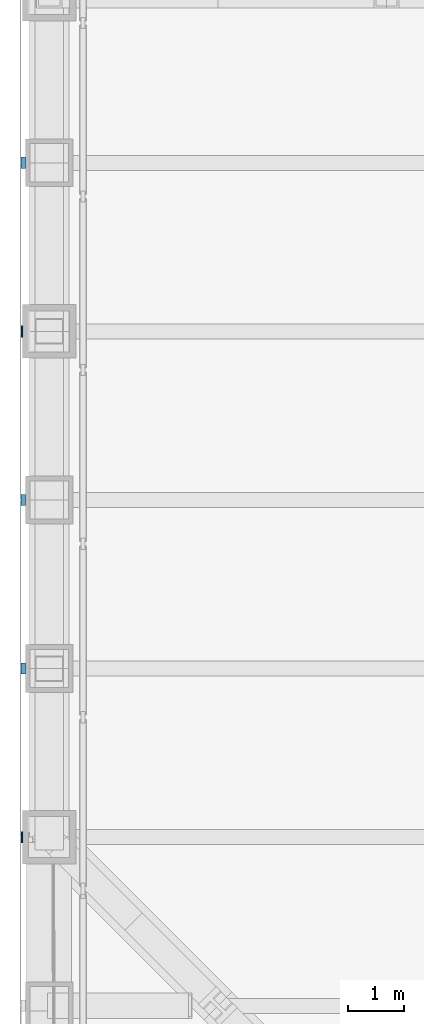
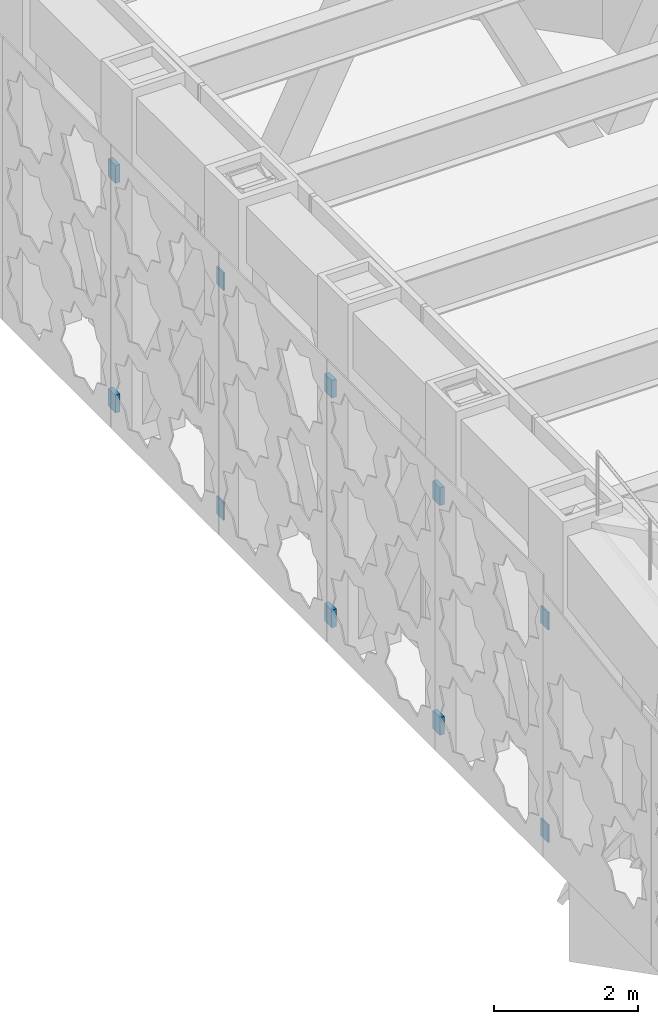
# One storey, part 15 of 31: 10 discrete accessories.
"""IFC4 building model written with IfcOpenShell, lengths in metres."""

import ifcopenshell
import ifcopenshell.guid

model = None  # the IFC model being written
_history = None  # IfcOwnerHistory: only IFC2X3 demands one
_inside = {}  # id of a spatial element -> (the spatial element, [elements in it])
_under = {}  # id of a project, library or spatial element -> (it, [spatial elements below it])
_declared = {}  # id of a project -> (the project, [libraries it declares])
_typed = {}  # id of a type object -> (the type object, [elements of that type])
_made_of = {}  # id of a material, layer set ... -> (it, [elements and type objects made of it])


def new_model(schema):
    """Start an empty IFC model of exactly this schema.

    Asked for "IFC4X3", IfcOpenShell would pick the latest addendum, in which some entities
    have other attributes; the version numbers below select the first issue.
    IFC2X3 requires an IfcOwnerHistory on every rooted entity: one is made here for all.
    """
    global model, _history
    if schema == "IFC4X3":
        model = ifcopenshell.file(schema_version=(4, 3, 0, 0))
    else:
        model = ifcopenshell.file(schema=schema)
    _inside.clear()
    _under.clear()
    _declared.clear()
    _typed.clear()
    _made_of.clear()
    _history = None
    if model.schema == "IFC2X3":
        org = make("IfcOrganization", Name="unknown")
        user = make(
            "IfcPersonAndOrganization",
            ThePerson=make("IfcPerson", FamilyName="unknown"),
            TheOrganization=org,
        )
        app = make(
            "IfcApplication",
            ApplicationDeveloper=org,
            Version="unknown",
            ApplicationFullName="unknown",
            ApplicationIdentifier="unknown",
        )
        _history = make(
            "IfcOwnerHistory",
            OwningUser=user,
            OwningApplication=app,
            ChangeAction="ADDED",
            CreationDate=0,
        )
    return model


def make(cls, **values):
    """One entity of the class cls with the attributes given. An attribute that is None is left unset."""
    return model.create_entity(
        cls, **{name: value for name, value in values.items() if value is not None}
    )


def rooted(cls, **values):
    """An entity with a GlobalId (a new one), such as an element, a storey or a relation."""
    return make(cls, GlobalId=ifcopenshell.guid.new(), OwnerHistory=_history, **values)


def si_unit(unit_type, name, prefix=None):
    """IfcSIUnit, for example si_unit("LENGTHUNIT", "METRE", prefix="MILLI")."""
    return make("IfcSIUnit", UnitType=unit_type, Prefix=prefix, Name=name)


def assignment(units):
    """IfcUnitAssignment: the units of a project."""
    return None if units is None else make("IfcUnitAssignment", Units=units)


def point(xyz):
    """IfcCartesianPoint."""
    return None if xyz is None else make("IfcCartesianPoint", Coordinates=xyz)


def direction(xyz):
    """IfcDirection."""
    return None if xyz is None else make("IfcDirection", DirectionRatios=xyz)


def frame(location, z_axis=None, x_axis=None):
    """IfcAxis2Placement3D, a coordinate frame: its origin and axes. An axis left out is left unset."""
    return make(
        "IfcAxis2Placement3D",
        Location=point(location),
        Axis=direction(z_axis),
        RefDirection=direction(x_axis),
    )


def frame_2d(location, x_axis=None):
    """IfcAxis2Placement2D, a coordinate frame in the plane: its origin and x axis."""
    return make(
        "IfcAxis2Placement2D", Location=point(location), RefDirection=direction(x_axis)
    )


def origin():
    """The frame at (0, 0, 0) with its axes left unset."""
    return frame((0.0, 0.0, 0.0))


def origin_2d():
    """The frame at (0, 0) in the plane with its x axis left unset."""
    return frame_2d((0.0, 0.0))


def place(relative_to, where):
    """IfcLocalPlacement: puts the frame where relative to a parent placement (None: the world)."""
    return make(
        "IfcLocalPlacement", PlacementRelTo=relative_to, RelativePlacement=where
    )


def context(
    kind, dimensions, precision=None, world=None, true_north=None, identifier=None
):
    """IfcGeometricRepresentationContext, for example the 3D "Model" context."""
    return make(
        "IfcGeometricRepresentationContext",
        ContextIdentifier=identifier,
        ContextType=kind,
        CoordinateSpaceDimension=dimensions,
        Precision=precision,
        WorldCoordinateSystem=world,
        TrueNorth=true_north,
    )


def subcontext(parent, identifier, kind, view, scale=None):
    """IfcGeometricRepresentationSubContext, for example "Body" below "Model"."""
    return make(
        "IfcGeometricRepresentationSubContext",
        ContextIdentifier=identifier,
        ContextType=kind,
        ParentContext=parent,
        TargetScale=scale,
        TargetView=view,
    )


def project(units=None, contexts=None):
    """IfcProject with its units and contexts."""
    return rooted(
        "IfcProject",
        Name="project",
        RepresentationContexts=contexts,
        UnitsInContext=assignment(units),
    )


def spatial(cls, under=None, at=None, **own):
    """A site, building, storey or space (cls), placed at a placement, below another one or the project."""
    s = rooted(cls, ObjectPlacement=at, **own)
    if under is not None:
        _under.setdefault(under.id(), (under, []))[1].append(s)
    return s


def profile(cls, at=None, kind="AREA", **sizes):
    """A parametric profile (cls). Its sizes go by their IFC names, for example OverallWidth=200.0."""
    return make(cls, ProfileType=kind, Position=at, **sizes)


def rectangle(**sizes):
    """IfcRectangleProfileDef."""
    return profile("IfcRectangleProfileDef", **sizes)


def extrude(swept, where, along, depth):
    """IfcExtrudedAreaSolid: the profile swept, set in the frame where, extruded along a direction by depth."""
    return make(
        "IfcExtrudedAreaSolid",
        SweptArea=swept,
        Position=where,
        ExtrudedDirection=direction(along),
        Depth=depth,
    )


def shape(context_of_items, identifier, shape_type, items):
    """IfcShapeRepresentation: the items that make up one representation, for example the "Body"."""
    return make(
        "IfcShapeRepresentation",
        ContextOfItems=context_of_items,
        RepresentationIdentifier=identifier,
        RepresentationType=shape_type,
        Items=items,
    )


def material(Name=None, Category=None):
    """IfcMaterial."""
    return make("IfcMaterial", Name=Name, Category=Category)


def made_of(thing, what):
    """Note that an element or type object is made of a material, layer set ...; save() writes the relation."""
    if what is not None:
        _made_of.setdefault(what.id(), (what, []))[1].append(thing)
    return thing


def type_object(cls, material=None, **own):
    """A type object (cls), such as IfcWallType, which elements share."""
    return made_of(rooted(cls, **own), material)


def element(
    cls,
    number,
    at=None,
    inside=None,
    cuts=None,
    type_object=None,
    material=None,
    context=None,
    identifier="Body",
    shape_type=None,
    held_by="IfcProductDefinitionShape",
    body=None,
    shapes=None,
    **own,
):
    """One element of the class cls, such as IfcWall. Its Tag is "e" and its number.

    at: its placement. inside: the storey or other place that contains it. cuts: it is an
    opening in that element (IfcRelVoidsElement). A single representation is given by context,
    identifier, shape_type and body (its items); several are given by shapes. held_by: the class
    of the entity that holds the representations. save() writes the other relations.
    """
    e = rooted(cls, Tag="e%d" % number, ObjectPlacement=at, **own)
    if body is not None:
        shapes = [shape(context, identifier, shape_type, body)]
    if shapes is not None:
        e.Representation = make(held_by, Representations=shapes)
    if inside is not None:
        _inside.setdefault(inside.id(), (inside, []))[1].append(e)
    if cuts is not None:
        rooted(
            "IfcRelVoidsElement", RelatingBuildingElement=cuts, RelatedOpeningElement=e
        )
    if type_object is not None:
        _typed.setdefault(type_object.id(), (type_object, []))[1].append(e)
    return made_of(e, material)


def aggregate(whole, parts):
    """IfcRelAggregates: a whole, such as a stair, and the parts it consists of."""
    return rooted("IfcRelAggregates", RelatingObject=whole, RelatedObjects=parts)


def save(model, path):
    """Write the relations noted so far, then the file.

    IfcRelAggregates (storeys below a building ...), IfcRelContainedInSpatialStructure (elements
    in a storey), IfcRelDefinesByType, IfcRelAssociatesMaterial and IfcRelDeclares: one each for
    every whole, place, type object, material and project.
    """
    for whole, parts in _under.values():
        aggregate(whole, parts)
    for where, things in _inside.values():
        rooted(
            "IfcRelContainedInSpatialStructure",
            RelatedElements=things,
            RelatingStructure=where,
        )
    for kind, things in _typed.values():
        rooted("IfcRelDefinesByType", RelatedObjects=things, RelatingType=kind)
    for what, things in _made_of.values():
        rooted("IfcRelAssociatesMaterial", RelatedObjects=things, RelatingMaterial=what)
    for by, libraries in _declared.values():
        rooted("IfcRelDeclares", RelatingContext=by, RelatedDefinitions=libraries)
    model.write(path)


model = new_model("IFC4")

# Units and contexts
model_context = context("Model", 3, precision=1e-05, world=origin(), true_north=direction((0.0, 1.0)))
body_context = subcontext(model_context, "Body", "Model", "MODEL_VIEW")
ifc_project = project(units=[si_unit("LENGTHUNIT", "METRE"), si_unit("AREAUNIT", "SQUARE_METRE"), si_unit("VOLUMEUNIT", "CUBIC_METRE"), si_unit("PLANEANGLEUNIT", "RADIAN"), si_unit("MASSUNIT", "GRAM", prefix="KILO")], contexts=[model_context])

# Site, building, storey
site_placement = place(None, origin())
site = spatial("IfcSite", under=ifc_project, at=site_placement, CompositionType="ELEMENT")
building_placement = place(site_placement, origin())
building = spatial("IfcBuilding", under=site, at=building_placement, Name="Chuquiago Exchange Tower", CompositionType="ELEMENT")
storey_placement = place(building_placement, frame((0.0, 0.0, 96.300048828125)))
storey = spatial("IfcBuildingStorey", under=building, at=storey_placement, Name="L20", CompositionType="ELEMENT", Elevation=96.300048828125)

# Discrete accessories
ifc_material_1 = material(Name="Stainless steel plate bracket", Category="steel")
discrete_accessory_type_1 = type_object("IfcDiscreteAccessoryType", Name="GB4 cladding bracket 75", PredefinedType="BRACKET", material=ifc_material_1)
for number, where, z_axis, x_axis, name in (
    (1, (-0.46240234375, 30.0, 0.35009765625), (0.0, 0.0, 1.0), (0.0, -1.0, 0.0), "Cladding bracket L20 W"),
    (2, (-0.46240234375, 30.0, 4.23974609375), (0.0, 0.0, 1.0), (0.0, -1.0, 0.0), "Cladding bracket L20 W"),
    (3, (-0.46240234375, 24.0, 0.35009765625), (0.0, 0.0, 1.0), (0.0, -1.0, 0.0), "Cladding bracket L20 W"),
    (4, (-0.46240234375, 24.0, 4.23974609375), (0.0, 0.0, 1.0), (0.0, -1.0, 0.0), "Cladding bracket L20 W"),
    (5, (-0.46240234375, 21.0, 0.35009765625), (0.0, 0.0, 1.0), (0.0, -1.0, 0.0), "Cladding bracket L20 W"),
    (6, (-0.46240234375, 21.0, 4.23974609375), (0.0, 0.0, 1.0), (0.0, -1.0, 0.0), "Cladding bracket L20 W"),
):
    element("IfcDiscreteAccessory", number, at=place(storey_placement, frame(where, z_axis=z_axis, x_axis=x_axis)), inside=storey, type_object=discrete_accessory_type_1, Name=name, PredefinedType="BRACKET", context=body_context, shape_type="SweptSolid", body=[
        extrude(rectangle(XDim=0.199951171875, YDim=0.074951171875, at=origin_2d()), origin(), (0.0, 0.0, 1.0), 0.300048828125),
    ])
ifc_material_2 = material(Name="Stainless steel plate bracket", Category="steel")
discrete_accessory_type_2 = type_object("IfcDiscreteAccessoryType", Name="GB7 cladding bracket 25", PredefinedType="BRACKET", material=ifc_material_2)
for number, where, z_axis, x_axis, name in (
    (7, (-0.487548828125, 27.0, 0.35009765625), (0.0, 0.0, 1.0), (0.0, -1.0, 0.0), "Cladding bracket L20 W"),
    (8, (-0.487548828125, 27.0, 4.23974609375), (0.0, 0.0, 1.0), (0.0, -1.0, 0.0), "Cladding bracket L20 W"),
    (9, (-0.487548828125, 18.0, 0.35009765625), (0.0, 0.0, 1.0), (0.0, -1.0, 0.0), "Cladding bracket L20 W"),
    (10, (-0.487548828125, 18.0, 3.94921875), (0.0, 0.0, 1.0), (0.0, -1.0, 0.0), "Cladding bracket L20 W"),
):
    element("IfcDiscreteAccessory", number, at=place(storey_placement, frame(where, z_axis=z_axis, x_axis=x_axis)), inside=storey, type_object=discrete_accessory_type_2, Name=name, PredefinedType="BRACKET", context=body_context, shape_type="SweptSolid", body=[
        extrude(rectangle(XDim=0.199951171875, YDim=0.02490234375, at=origin_2d()), origin(), (0.0, 0.0, 1.0), 0.300048828125),
    ])

save(model, "model.ifc")
